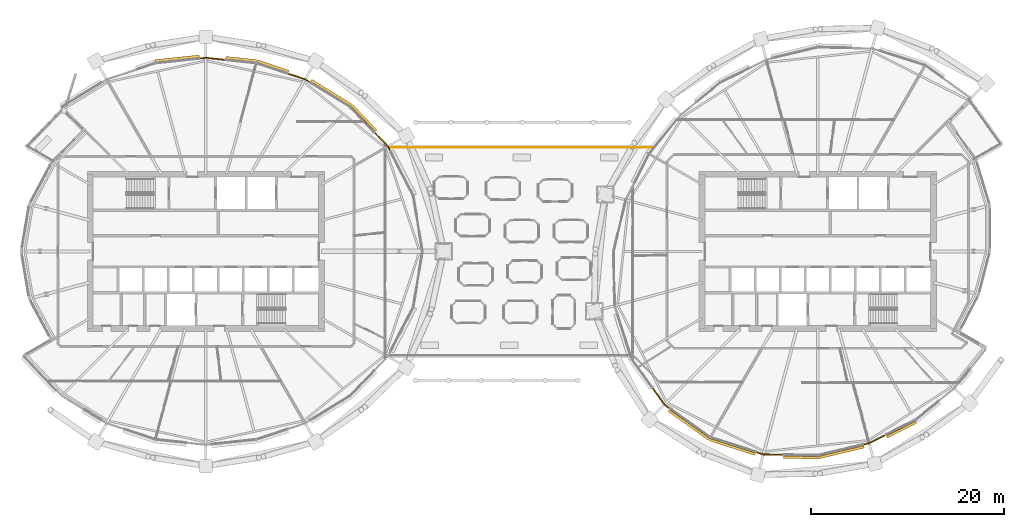
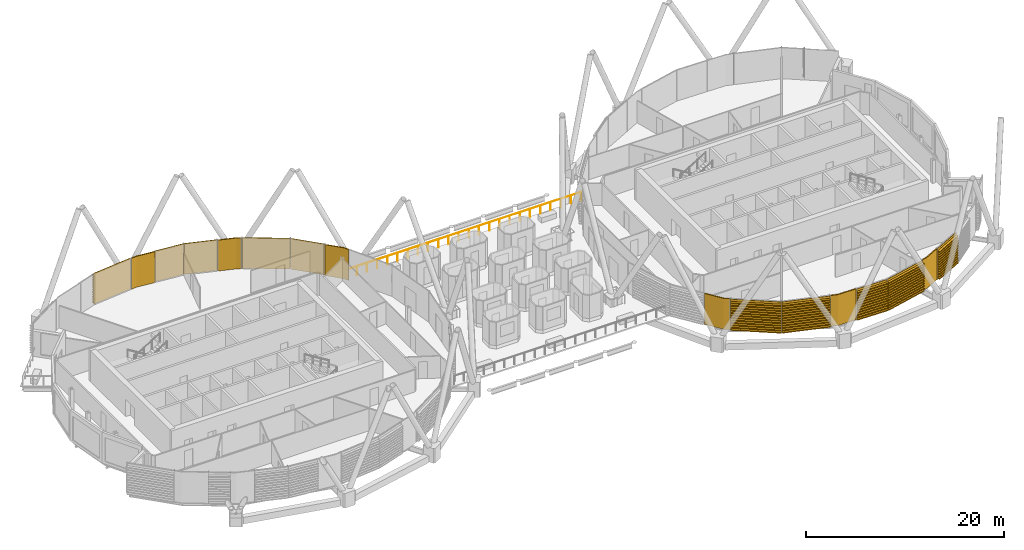
# One storey, part 35 of 38: 16 coverings, 1 railing.
"""IFC4 building model written with IfcOpenShell, lengths in metres."""

import ifcopenshell
import ifcopenshell.guid

model = None  # the IFC model being written
_history = None  # IfcOwnerHistory: only IFC2X3 demands one
_inside = {}  # id of a spatial element -> (the spatial element, [elements in it])
_under = {}  # id of a project, library or spatial element -> (it, [spatial elements below it])
_declared = {}  # id of a project -> (the project, [libraries it declares])
_typed = {}  # id of a type object -> (the type object, [elements of that type])
_made_of = {}  # id of a material, layer set ... -> (it, [elements and type objects made of it])


def new_model(schema):
    """Start an empty IFC model of exactly this schema.

    Asked for "IFC4X3", IfcOpenShell would pick the latest addendum, in which some entities
    have other attributes; the version numbers below select the first issue.
    IFC2X3 requires an IfcOwnerHistory on every rooted entity: one is made here for all.
    """
    global model, _history
    if schema == "IFC4X3":
        model = ifcopenshell.file(schema_version=(4, 3, 0, 0))
    else:
        model = ifcopenshell.file(schema=schema)
    _inside.clear()
    _under.clear()
    _declared.clear()
    _typed.clear()
    _made_of.clear()
    _history = None
    if model.schema == "IFC2X3":
        org = make("IfcOrganization", Name="unknown")
        user = make(
            "IfcPersonAndOrganization",
            ThePerson=make("IfcPerson", FamilyName="unknown"),
            TheOrganization=org,
        )
        app = make(
            "IfcApplication",
            ApplicationDeveloper=org,
            Version="unknown",
            ApplicationFullName="unknown",
            ApplicationIdentifier="unknown",
        )
        _history = make(
            "IfcOwnerHistory",
            OwningUser=user,
            OwningApplication=app,
            ChangeAction="ADDED",
            CreationDate=0,
        )
    return model


def make(cls, **values):
    """One entity of the class cls with the attributes given. An attribute that is None is left unset."""
    return model.create_entity(
        cls, **{name: value for name, value in values.items() if value is not None}
    )


def rooted(cls, **values):
    """An entity with a GlobalId (a new one), such as an element, a storey or a relation."""
    return make(cls, GlobalId=ifcopenshell.guid.new(), OwnerHistory=_history, **values)


def si_unit(unit_type, name, prefix=None):
    """IfcSIUnit, for example si_unit("LENGTHUNIT", "METRE", prefix="MILLI")."""
    return make("IfcSIUnit", UnitType=unit_type, Prefix=prefix, Name=name)


def assignment(units):
    """IfcUnitAssignment: the units of a project."""
    return None if units is None else make("IfcUnitAssignment", Units=units)


def point(xyz):
    """IfcCartesianPoint."""
    return None if xyz is None else make("IfcCartesianPoint", Coordinates=xyz)


def direction(xyz):
    """IfcDirection."""
    return None if xyz is None else make("IfcDirection", DirectionRatios=xyz)


def frame(location, z_axis=None, x_axis=None):
    """IfcAxis2Placement3D, a coordinate frame: its origin and axes. An axis left out is left unset."""
    return make(
        "IfcAxis2Placement3D",
        Location=point(location),
        Axis=direction(z_axis),
        RefDirection=direction(x_axis),
    )


def frame_2d(location, x_axis=None):
    """IfcAxis2Placement2D, a coordinate frame in the plane: its origin and x axis."""
    return make(
        "IfcAxis2Placement2D", Location=point(location), RefDirection=direction(x_axis)
    )


def origin():
    """The frame at (0, 0, 0) with its axes left unset."""
    return frame((0.0, 0.0, 0.0))


def origin_2d():
    """The frame at (0, 0) in the plane with its x axis left unset."""
    return frame_2d((0.0, 0.0))


def place(relative_to, where):
    """IfcLocalPlacement: puts the frame where relative to a parent placement (None: the world)."""
    return make(
        "IfcLocalPlacement", PlacementRelTo=relative_to, RelativePlacement=where
    )


def context(
    kind, dimensions, precision=None, world=None, true_north=None, identifier=None
):
    """IfcGeometricRepresentationContext, for example the 3D "Model" context."""
    return make(
        "IfcGeometricRepresentationContext",
        ContextIdentifier=identifier,
        ContextType=kind,
        CoordinateSpaceDimension=dimensions,
        Precision=precision,
        WorldCoordinateSystem=world,
        TrueNorth=true_north,
    )


def subcontext(parent, identifier, kind, view, scale=None):
    """IfcGeometricRepresentationSubContext, for example "Body" below "Model"."""
    return make(
        "IfcGeometricRepresentationSubContext",
        ContextIdentifier=identifier,
        ContextType=kind,
        ParentContext=parent,
        TargetScale=scale,
        TargetView=view,
    )


def project(units=None, contexts=None):
    """IfcProject with its units and contexts."""
    return rooted(
        "IfcProject",
        Name="project",
        RepresentationContexts=contexts,
        UnitsInContext=assignment(units),
    )


def spatial(cls, under=None, at=None, **own):
    """A site, building, storey or space (cls), placed at a placement, below another one or the project."""
    s = rooted(cls, ObjectPlacement=at, **own)
    if under is not None:
        _under.setdefault(under.id(), (under, []))[1].append(s)
    return s


def polyline(points):
    """IfcPolyline through the points."""
    return make("IfcPolyline", Points=[point(p) for p in points])


def profile(cls, at=None, kind="AREA", **sizes):
    """A parametric profile (cls). Its sizes go by their IFC names, for example OverallWidth=200.0."""
    return make(cls, ProfileType=kind, Position=at, **sizes)


def circle(**sizes):
    """IfcCircleProfileDef."""
    return profile("IfcCircleProfileDef", **sizes)


def outline(outer, holes=None, kind="AREA"):
    """IfcArbitraryClosedProfileDef: a profile drawn as a closed curve; with holes, ...WithVoids."""
    if holes is None:
        return make("IfcArbitraryClosedProfileDef", ProfileType=kind, OuterCurve=outer)
    return make(
        "IfcArbitraryProfileDefWithVoids",
        ProfileType=kind,
        OuterCurve=outer,
        InnerCurves=holes,
    )


def extrude(swept, where, along, depth):
    """IfcExtrudedAreaSolid: the profile swept, set in the frame where, extruded along a direction by depth."""
    return make(
        "IfcExtrudedAreaSolid",
        SweptArea=swept,
        Position=where,
        ExtrudedDirection=direction(along),
        Depth=depth,
    )


def shape(context_of_items, identifier, shape_type, items):
    """IfcShapeRepresentation: the items that make up one representation, for example the "Body"."""
    return make(
        "IfcShapeRepresentation",
        ContextOfItems=context_of_items,
        RepresentationIdentifier=identifier,
        RepresentationType=shape_type,
        Items=items,
    )


def material(Name=None, Category=None):
    """IfcMaterial."""
    return make("IfcMaterial", Name=Name, Category=Category)


def layer(
    of_material, thickness, ventilated=None, Name=None, Category=None, Priority=None
):
    """IfcMaterialLayer: one layer of a wall or slab, of a material (None: an air gap)."""
    return make(
        "IfcMaterialLayer",
        Material=of_material,
        LayerThickness=thickness,
        IsVentilated=ventilated,
        Name=Name,
        Category=Category,
        Priority=Priority,
    )


def layer_set(layers, Name=None):
    """IfcMaterialLayerSet."""
    return make("IfcMaterialLayerSet", MaterialLayers=layers, LayerSetName=Name)


def material_profile(
    of_material, cross_section, Name=None, Category=None, Priority=None
):
    """IfcMaterialProfile: a cross section and its material."""
    return make(
        "IfcMaterialProfile",
        Name=Name,
        Material=of_material,
        Profile=cross_section,
        Priority=Priority,
        Category=Category,
    )


def profile_set(profiles, Name=None, composite=None):
    """IfcMaterialProfileSet."""
    return make(
        "IfcMaterialProfileSet",
        Name=Name,
        MaterialProfiles=profiles,
        CompositeProfile=composite,
    )


def made_of(thing, what):
    """Note that an element or type object is made of a material, layer set ...; save() writes the relation."""
    if what is not None:
        _made_of.setdefault(what.id(), (what, []))[1].append(thing)
    return thing


def type_object(cls, material=None, **own):
    """A type object (cls), such as IfcWallType, which elements share."""
    return made_of(rooted(cls, **own), material)


def element(
    cls,
    number,
    at=None,
    inside=None,
    cuts=None,
    type_object=None,
    material=None,
    context=None,
    identifier="Body",
    shape_type=None,
    held_by="IfcProductDefinitionShape",
    body=None,
    shapes=None,
    **own,
):
    """One element of the class cls, such as IfcWall. Its Tag is "e" and its number.

    at: its placement. inside: the storey or other place that contains it. cuts: it is an
    opening in that element (IfcRelVoidsElement). A single representation is given by context,
    identifier, shape_type and body (its items); several are given by shapes. held_by: the class
    of the entity that holds the representations. save() writes the other relations.
    """
    e = rooted(cls, Tag="e%d" % number, ObjectPlacement=at, **own)
    if body is not None:
        shapes = [shape(context, identifier, shape_type, body)]
    if shapes is not None:
        e.Representation = make(held_by, Representations=shapes)
    if inside is not None:
        _inside.setdefault(inside.id(), (inside, []))[1].append(e)
    if cuts is not None:
        rooted(
            "IfcRelVoidsElement", RelatingBuildingElement=cuts, RelatedOpeningElement=e
        )
    if type_object is not None:
        _typed.setdefault(type_object.id(), (type_object, []))[1].append(e)
    return made_of(e, material)


def aggregate(whole, parts):
    """IfcRelAggregates: a whole, such as a stair, and the parts it consists of."""
    return rooted("IfcRelAggregates", RelatingObject=whole, RelatedObjects=parts)


def save(model, path):
    """Write the relations noted so far, then the file.

    IfcRelAggregates (storeys below a building ...), IfcRelContainedInSpatialStructure (elements
    in a storey), IfcRelDefinesByType, IfcRelAssociatesMaterial and IfcRelDeclares: one each for
    every whole, place, type object, material and project.
    """
    for whole, parts in _under.values():
        aggregate(whole, parts)
    for where, things in _inside.values():
        rooted(
            "IfcRelContainedInSpatialStructure",
            RelatedElements=things,
            RelatingStructure=where,
        )
    for kind, things in _typed.values():
        rooted("IfcRelDefinesByType", RelatedObjects=things, RelatingType=kind)
    for what, things in _made_of.values():
        rooted("IfcRelAssociatesMaterial", RelatedObjects=things, RelatingMaterial=what)
    for by, libraries in _declared.values():
        rooted("IfcRelDeclares", RelatingContext=by, RelatedDefinitions=libraries)
    model.write(path)


model = new_model("IFC4")

# Units and contexts
model_context = context("Model", 3, precision=1e-05, world=origin(), true_north=direction((0.0, 1.0)))
body_context = subcontext(model_context, "Body", "Model", "MODEL_VIEW")
ifc_project = project(units=[si_unit("LENGTHUNIT", "METRE"), si_unit("AREAUNIT", "SQUARE_METRE"), si_unit("VOLUMEUNIT", "CUBIC_METRE"), si_unit("PLANEANGLEUNIT", "RADIAN"), si_unit("MASSUNIT", "GRAM", prefix="KILO")], contexts=[model_context])

# Site, building, storey
site_placement = place(None, origin())
site = spatial("IfcSite", under=ifc_project, at=site_placement, CompositionType="ELEMENT")
building_placement = place(site_placement, origin())
building = spatial("IfcBuilding", under=site, at=building_placement, Name="Rimbun Link Towers", CompositionType="ELEMENT")
storey_placement = place(building_placement, frame((0.0, 0.0, 158.89990234375)))
storey = spatial("IfcBuildingStorey", under=building, at=storey_placement, Name="L38", CompositionType="ELEMENT", Elevation=158.89990234375)

# Railing
ifc_material_1 = material(Name="Stainless steel grade 316", Category="steel")
railing_type = type_object("IfcRailingType", Name="GUARD stainless rail and posts", PredefinedType="GUARDRAIL", material=ifc_material_1)
railing_placement = place(storey_placement, frame((14.66064453125, 10.800048828125, 0.0)))
element("IfcRailing", 1, at=railing_placement, inside=storey, type_object=railing_type, Name="GUARD", PredefinedType="GUARDRAIL", context=body_context, shape_type="SweptSolid", body=[
    extrude(circle(Radius=0.02392578125, at=origin_2d()), frame((0.0, 0.0, 1.076171875), z_axis=(-1.0, 0.0, 0.0), x_axis=(0.0, -1.0, 0.0)), (0.0, 0.0, 1.0), 27.28759765625),
    extrude(circle(Radius=0.02099609375, at=origin_2d()), origin(), (0.0, 0.0, 1.0), 1.052001953125),
    extrude(circle(Radius=0.02099609375, at=origin_2d()), frame((-1.1865234375, 0.0, 0.0)), (0.0, 0.0, 1.0), 1.052001953125),
    extrude(circle(Radius=0.02099609375, at=origin_2d()), frame((-2.372802734375, 0.0, 0.0)), (0.0, 0.0, 1.0), 1.052001953125),
    extrude(circle(Radius=0.02099609375, at=origin_2d()), frame((-3.559326171875, 0.0, 0.0)), (0.0, 0.0, 1.0), 1.052001953125),
    extrude(circle(Radius=0.02099609375, at=origin_2d()), frame((-4.74560546875, 0.0, 0.0)), (0.0, 0.0, 1.0), 1.052001953125),
    extrude(circle(Radius=0.02099609375, at=origin_2d()), frame((-5.93212890625, 0.0, 0.0)), (0.0, 0.0, 1.0), 1.052001953125),
    extrude(circle(Radius=0.02099609375, at=origin_2d()), frame((-7.118408203125, 0.0, 0.0)), (0.0, 0.0, 1.0), 1.052001953125),
    extrude(circle(Radius=0.02099609375, at=origin_2d()), frame((-8.304931640625, 0.0, 0.0)), (0.0, 0.0, 1.0), 1.052001953125),
    extrude(circle(Radius=0.02099609375, at=origin_2d()), frame((-9.491455078125, 0.0, 0.0)), (0.0, 0.0, 1.0), 1.052001953125),
    extrude(circle(Radius=0.02099609375, at=origin_2d()), frame((-10.677734375, 0.0, 0.0)), (0.0, 0.0, 1.0), 1.052001953125),
    extrude(circle(Radius=0.02099609375, at=origin_2d()), frame((-11.8642578125, 0.0, 0.0)), (0.0, 0.0, 1.0), 1.052001953125),
    extrude(circle(Radius=0.02099609375, at=origin_2d()), frame((-13.050537109375, 0.0, 0.0)), (0.0, 0.0, 1.0), 1.052001953125),
    extrude(circle(Radius=0.02099609375, at=origin_2d()), frame((-14.237060546875, 0.0, 0.0)), (0.0, 0.0, 1.0), 1.052001953125),
    extrude(circle(Radius=0.02099609375, at=origin_2d()), frame((-15.42333984375, 0.0, 0.0)), (0.0, 0.0, 1.0), 1.052001953125),
    extrude(circle(Radius=0.02099609375, at=origin_2d()), frame((-16.60986328125, 0.0, 0.0)), (0.0, 0.0, 1.0), 1.052001953125),
    extrude(circle(Radius=0.02099609375, at=origin_2d()), frame((-17.796142578125, 0.0, 0.0)), (0.0, 0.0, 1.0), 1.052001953125),
    extrude(circle(Radius=0.02099609375, at=origin_2d()), frame((-18.982666015625, 0.0, 0.0)), (0.0, 0.0, 1.0), 1.052001953125),
    extrude(circle(Radius=0.02099609375, at=origin_2d()), frame((-20.169189453125, 0.0, 0.0)), (0.0, 0.0, 1.0), 1.052001953125),
    extrude(circle(Radius=0.02099609375, at=origin_2d()), frame((-21.35546875, 0.0, 0.0)), (0.0, 0.0, 1.0), 1.052001953125),
    extrude(circle(Radius=0.02099609375, at=origin_2d()), frame((-22.5419921875, 0.0, 0.0)), (0.0, 0.0, 1.0), 1.052001953125),
    extrude(circle(Radius=0.02099609375, at=origin_2d()), frame((-23.728271484375, 0.0, 0.0)), (0.0, 0.0, 1.0), 1.052001953125),
    extrude(circle(Radius=0.02099609375, at=origin_2d()), frame((-24.914794921875, 0.0, 0.0)), (0.0, 0.0, 1.0), 1.052001953125),
    extrude(circle(Radius=0.02099609375, at=origin_2d()), frame((-26.10107421875, 0.0, 0.0)), (0.0, 0.0, 1.0), 1.052001953125),
    extrude(circle(Radius=0.02099609375, at=origin_2d()), frame((-27.28759765625, 0.0, 0.0)), (0.0, 0.0, 1.0), 1.052001953125),
])

# Coverings
ifc_material_2 = material(Name="Terracotta", Category="masonry")
ifc_layer = layer(ifc_material_2, 0.1201171875)
ifc_layer_set = layer_set([ifc_layer], Name="LINK PIER terracotta cladding 120")
covering_type_1 = type_object("IfcCoveringType", Name="LINK PIER terracotta cladding 120", PredefinedType="CLADDING", material=ifc_layer_set)
covering_1_placement = place(storey_placement, origin())
element("IfcCovering", 2, at=covering_1_placement, inside=storey, type_object=covering_type_1, Name="LINK PIER cladding", PredefinedType="CLADDING", context=body_context, shape_type="SweptSolid", body=[
    extrude(outline(polyline([(-14.273193359375, 12.299560546875), (-12.909912109375, 10.87744140625), (-12.64794921875, 10.37109375), (-12.541259765625, 10.42626953125), (-12.811279296875, 10.947998046875), (-14.1865234375, 12.382568359375), (-14.273193359375, 12.299560546875)])), origin(), (0.0, 0.0, 1.0), 3.800048828125),
])
covering_2_placement = place(storey_placement, origin())
element("IfcCovering", 3, at=covering_2_placement, inside=storey, type_object=covering_type_1, Name="LINK PIER cladding", PredefinedType="CLADDING", context=body_context, shape_type="SweptSolid", body=[
    extrude(outline(polyline([(-23.244873046875, 18.393798828125), (-21.469970703125, 17.8056640625), (-20.984130859375, 17.50732421875), (-20.92138671875, 17.609619140625), (-21.4189453125, 17.9150390625), (-23.207275390625, 18.5078125), (-23.244873046875, 18.393798828125)])), origin(), (0.0, 0.0, 1.0), 3.800048828125),
])
covering_3_placement = place(storey_placement, origin())
element("IfcCovering", 4, at=covering_3_placement, inside=storey, type_object=covering_type_1, Name="LINK PIER cladding", PredefinedType="CLADDING", context=body_context, shape_type="SweptSolid", body=[
    extrude(outline(polyline([(-32.36669921875, 19.967041015625), (-31.75, 20.031982421875), (-29.7412109375, 19.820556640625), (-29.728515625, 19.93994140625), (-31.75, 20.15283203125), (-32.379150390625, 20.08642578125), (-32.36669921875, 19.967041015625)])), origin(), (0.0, 0.0, 1.0), 3.800048828125),
])
covering_4_placement = place(storey_placement, origin())
element("IfcCovering", 5, at=covering_4_placement, inside=storey, type_object=covering_type_1, Name="LINK PIER cladding", PredefinedType="CLADDING", context=body_context, shape_type="SweptSolid", body=[
    extrude(outline(polyline([(16.4296875, -16.255126953125), (15.885498046875, -15.864501953125), (14.6494140625, -14.14208984375), (14.552001953125, -14.212158203125), (15.79931640625, -15.95068359375), (16.35986328125, -16.352783203125), (16.4296875, -16.255126953125)])), origin(), (0.0, 0.0, 1.0), 3.800048828125),
])
covering_5_placement = place(storey_placement, origin())
element("IfcCovering", 6, at=covering_5_placement, inside=storey, type_object=covering_type_1, Name="LINK PIER cladding", PredefinedType="CLADDING", context=body_context, shape_type="SweptSolid", body=[
    extrude(outline(polyline([(28.18896484375, -21.05712890625), (26.119384765625, -21.013671875), (25.385498046875, -20.7802734375), (25.349365234375, -20.89453125), (26.099609375, -21.13330078125), (28.1865234375, -21.17724609375), (28.18896484375, -21.05712890625)])), origin(), (0.0, 0.0, 1.0), 3.800048828125),
])
covering_6_placement = place(storey_placement, origin())
element("IfcCovering", 7, at=covering_6_placement, inside=storey, type_object=covering_type_1, Name="LINK PIER cladding", PredefinedType="CLADDING", context=body_context, shape_type="SweptSolid", body=[
    extrude(outline(polyline([(38.742431640625, -19.020263671875), (37.0712890625, -19.859619140625), (36.516845703125, -19.9921875), (36.544921875, -20.10888671875), (37.11279296875, -19.972900390625), (38.79638671875, -19.12744140625), (38.742431640625, -19.020263671875)])), origin(), (0.0, 0.0, 1.0), 3.800048828125),
])
ifc_material_3 = material(Name="Terracotta", Category="masonry")
ifc_material_profile = material_profile(ifc_material_3, outline(polyline([(0.123046875, 0.0), (0.1630859375, 0.0), (0.1630859375, 0.10009765625), (0.423095703125, 0.10009765625), (0.423095703125, 0.219970703125), (0.1630859375, 0.219970703125), (0.1630859375, 0.39990234375), (0.423095703125, 0.39990234375), (0.423095703125, 0.52001953125), (0.1630859375, 0.52001953125), (0.1630859375, 0.699951171875), (0.423095703125, 0.699951171875), (0.423095703125, 0.820068359375), (0.1630859375, 0.820068359375), (0.1630859375, 1.0), (0.423095703125, 1.0), (0.423095703125, 1.1201171875), (0.1630859375, 1.1201171875), (0.1630859375, 1.300048828125), (0.423095703125, 1.300048828125), (0.423095703125, 1.419921875), (0.1630859375, 1.419921875), (0.1630859375, 1.60009765625), (0.423095703125, 1.60009765625), (0.423095703125, 1.719970703125), (0.1630859375, 1.719970703125), (0.1630859375, 1.89990234375), (0.423095703125, 1.89990234375), (0.423095703125, 2.02001953125), (0.1630859375, 2.02001953125), (0.1630859375, 2.199951171875), (0.423095703125, 2.199951171875), (0.423095703125, 2.320068359375), (0.1630859375, 2.320068359375), (0.1630859375, 2.5), (0.423095703125, 2.5), (0.423095703125, 2.6201171875), (0.1630859375, 2.6201171875), (0.1630859375, 2.800048828125), (0.423095703125, 2.800048828125), (0.423095703125, 2.919921875), (0.1630859375, 2.919921875), (0.1630859375, 3.10009765625), (0.423095703125, 3.10009765625), (0.423095703125, 3.219970703125), (0.1630859375, 3.219970703125), (0.1630859375, 3.39990234375), (0.423095703125, 3.39990234375), (0.423095703125, 3.52001953125), (0.1630859375, 3.52001953125), (0.1630859375, 3.800048828125), (0.123046875, 3.800048828125), (0.123046875, 0.0)])), Name="BAGUETTE 120X300")
ifc_profile_set = profile_set([ifc_material_profile], Name="Terracotta")
covering_type_2 = type_object("IfcCoveringType", Name="TERRACOTTA BAGUETTE 120X300 H3800", PredefinedType="CLADDING", material=ifc_profile_set)
covering_7_placement = place(storey_placement, frame((-16.807373046875, 14.942626953125, 0.0), z_axis=(0.692060112177, -0.721839872225, 0.0), x_axis=(0.721839872225, 0.692060112177, 0.0)))
element("IfcCovering", 8, at=covering_7_placement, inside=storey, type_object=covering_type_2, Name="TERRACOTTA BAGUETTE", PredefinedType="CLADDING", context=body_context, shape_type="SweptSolid", body=[
    extrude(outline(polyline([(0.123046875, 0.0), (0.1630859375, 0.0), (0.1630859375, 0.10009765625), (0.423095703125, 0.10009765625), (0.423095703125, 0.219970703125), (0.1630859375, 0.219970703125), (0.1630859375, 0.39990234375), (0.423095703125, 0.39990234375), (0.423095703125, 0.52001953125), (0.1630859375, 0.52001953125), (0.1630859375, 0.699951171875), (0.423095703125, 0.699951171875), (0.423095703125, 0.820068359375), (0.1630859375, 0.820068359375), (0.1630859375, 1.0), (0.423095703125, 1.0), (0.423095703125, 1.1201171875), (0.1630859375, 1.1201171875), (0.1630859375, 1.300048828125), (0.423095703125, 1.300048828125), (0.423095703125, 1.419921875), (0.1630859375, 1.419921875), (0.1630859375, 1.60009765625), (0.423095703125, 1.60009765625), (0.423095703125, 1.719970703125), (0.1630859375, 1.719970703125), (0.1630859375, 1.89990234375), (0.423095703125, 1.89990234375), (0.423095703125, 2.02001953125), (0.1630859375, 2.02001953125), (0.1630859375, 2.199951171875), (0.423095703125, 2.199951171875), (0.423095703125, 2.320068359375), (0.1630859375, 2.320068359375), (0.1630859375, 2.5), (0.423095703125, 2.5), (0.423095703125, 2.6201171875), (0.1630859375, 2.6201171875), (0.1630859375, 2.800048828125), (0.423095703125, 2.800048828125), (0.423095703125, 2.919921875), (0.1630859375, 2.919921875), (0.1630859375, 3.10009765625), (0.423095703125, 3.10009765625), (0.423095703125, 3.219970703125), (0.1630859375, 3.219970703125), (0.1630859375, 3.39990234375), (0.423095703125, 3.39990234375), (0.423095703125, 3.52001953125), (0.1630859375, 3.52001953125), (0.1630859375, 3.800048828125), (0.123046875, 3.800048828125), (0.123046875, 0.0)])), origin(), (0.0, 0.0, 1.0), 3.6318359375),
])
covering_8_placement = place(storey_placement, frame((-20.95849609375, 17.49169921875, 0.0), z_axis=(0.852158679137, -0.523283465792, 0.0), x_axis=(0.523283465792, 0.852158679137, 0.0)))
element("IfcCovering", 9, at=covering_8_placement, inside=storey, type_object=covering_type_2, Name="TERRACOTTA BAGUETTE", PredefinedType="CLADDING", context=body_context, shape_type="SweptSolid", body=[
    extrude(outline(polyline([(0.123046875, 0.0), (0.1630859375, 0.0), (0.1630859375, 0.10009765625), (0.423095703125, 0.10009765625), (0.423095703125, 0.219970703125), (0.1630859375, 0.219970703125), (0.1630859375, 0.39990234375), (0.423095703125, 0.39990234375), (0.423095703125, 0.52001953125), (0.1630859375, 0.52001953125), (0.1630859375, 0.699951171875), (0.423095703125, 0.699951171875), (0.423095703125, 0.820068359375), (0.1630859375, 0.820068359375), (0.1630859375, 1.0), (0.423095703125, 1.0), (0.423095703125, 1.1201171875), (0.1630859375, 1.1201171875), (0.1630859375, 1.300048828125), (0.423095703125, 1.300048828125), (0.423095703125, 1.419921875), (0.1630859375, 1.419921875), (0.1630859375, 1.60009765625), (0.423095703125, 1.60009765625), (0.423095703125, 1.719970703125), (0.1630859375, 1.719970703125), (0.1630859375, 1.89990234375), (0.423095703125, 1.89990234375), (0.423095703125, 2.02001953125), (0.1630859375, 2.02001953125), (0.1630859375, 2.199951171875), (0.423095703125, 2.199951171875), (0.423095703125, 2.320068359375), (0.1630859375, 2.320068359375), (0.1630859375, 2.5), (0.423095703125, 2.5), (0.423095703125, 2.6201171875), (0.1630859375, 2.6201171875), (0.1630859375, 2.800048828125), (0.423095703125, 2.800048828125), (0.423095703125, 2.919921875), (0.1630859375, 2.919921875), (0.1630859375, 3.10009765625), (0.423095703125, 3.10009765625), (0.423095703125, 3.219970703125), (0.1630859375, 3.219970703125), (0.1630859375, 3.39990234375), (0.423095703125, 3.39990234375), (0.423095703125, 3.52001953125), (0.1630859375, 3.52001953125), (0.1630859375, 3.800048828125), (0.123046875, 3.800048828125), (0.123046875, 0.0)])), origin(), (0.0, 0.0, 1.0), 4.871337890625),
])
covering_9_placement = place(storey_placement, frame((-26.52978515625, 19.482421875, 0.0), z_axis=(0.949236945708, -0.314561950819, 0.0), x_axis=(0.314561950819, 0.949236945708, 0.0)))
element("IfcCovering", 10, at=covering_9_placement, inside=storey, type_object=covering_type_2, Name="TERRACOTTA BAGUETTE", PredefinedType="CLADDING", context=body_context, shape_type="SweptSolid", body=[
    extrude(outline(polyline([(0.123046875, 0.0), (0.1630859375, 0.0), (0.1630859375, 0.10009765625), (0.423095703125, 0.10009765625), (0.423095703125, 0.219970703125), (0.1630859375, 0.219970703125), (0.1630859375, 0.39990234375), (0.423095703125, 0.39990234375), (0.423095703125, 0.52001953125), (0.1630859375, 0.52001953125), (0.1630859375, 0.699951171875), (0.423095703125, 0.699951171875), (0.423095703125, 0.820068359375), (0.1630859375, 0.820068359375), (0.1630859375, 1.0), (0.423095703125, 1.0), (0.423095703125, 1.1201171875), (0.1630859375, 1.1201171875), (0.1630859375, 1.300048828125), (0.423095703125, 1.300048828125), (0.423095703125, 1.419921875), (0.1630859375, 1.419921875), (0.1630859375, 1.60009765625), (0.423095703125, 1.60009765625), (0.423095703125, 1.719970703125), (0.1630859375, 1.719970703125), (0.1630859375, 1.89990234375), (0.423095703125, 1.89990234375), (0.423095703125, 2.02001953125), (0.1630859375, 2.02001953125), (0.1630859375, 2.199951171875), (0.423095703125, 2.199951171875), (0.423095703125, 2.320068359375), (0.1630859375, 2.320068359375), (0.1630859375, 2.5), (0.423095703125, 2.5), (0.423095703125, 2.6201171875), (0.1630859375, 2.6201171875), (0.1630859375, 2.800048828125), (0.423095703125, 2.800048828125), (0.423095703125, 2.919921875), (0.1630859375, 2.919921875), (0.1630859375, 3.10009765625), (0.423095703125, 3.10009765625), (0.423095703125, 3.219970703125), (0.1630859375, 3.219970703125), (0.1630859375, 3.39990234375), (0.423095703125, 3.39990234375), (0.423095703125, 3.52001953125), (0.1630859375, 3.52001953125), (0.1630859375, 3.800048828125), (0.123046875, 3.800048828125), (0.123046875, 0.0)])), origin(), (0.0, 0.0, 1.0), 3.430419921875),
])
covering_10_placement = place(storey_placement, frame((-29.711181640625, 19.8173828125, 0.0), z_axis=(0.994502943543, -0.104708620869, 0.0), x_axis=(0.104708620869, 0.994502943543, 0.0)))
element("IfcCovering", 11, at=covering_10_placement, inside=storey, type_object=covering_type_2, Name="TERRACOTTA BAGUETTE", PredefinedType="CLADDING", context=body_context, shape_type="SweptSolid", body=[
    extrude(outline(polyline([(0.123046875, 0.0), (0.1630859375, 0.0), (0.1630859375, 0.10009765625), (0.423095703125, 0.10009765625), (0.423095703125, 0.219970703125), (0.1630859375, 0.219970703125), (0.1630859375, 0.39990234375), (0.423095703125, 0.39990234375), (0.423095703125, 0.52001953125), (0.1630859375, 0.52001953125), (0.1630859375, 0.699951171875), (0.423095703125, 0.699951171875), (0.423095703125, 0.820068359375), (0.1630859375, 0.820068359375), (0.1630859375, 1.0), (0.423095703125, 1.0), (0.423095703125, 1.1201171875), (0.1630859375, 1.1201171875), (0.1630859375, 1.300048828125), (0.423095703125, 1.300048828125), (0.423095703125, 1.419921875), (0.1630859375, 1.419921875), (0.1630859375, 1.60009765625), (0.423095703125, 1.60009765625), (0.423095703125, 1.719970703125), (0.1630859375, 1.719970703125), (0.1630859375, 1.89990234375), (0.423095703125, 1.89990234375), (0.423095703125, 2.02001953125), (0.1630859375, 2.02001953125), (0.1630859375, 2.199951171875), (0.423095703125, 2.199951171875), (0.423095703125, 2.320068359375), (0.1630859375, 2.320068359375), (0.1630859375, 2.5), (0.423095703125, 2.5), (0.423095703125, 2.6201171875), (0.1630859375, 2.6201171875), (0.1630859375, 2.800048828125), (0.423095703125, 2.800048828125), (0.423095703125, 2.919921875), (0.1630859375, 2.919921875), (0.1630859375, 3.10009765625), (0.423095703125, 3.10009765625), (0.423095703125, 3.219970703125), (0.1630859375, 3.219970703125), (0.1630859375, 3.39990234375), (0.423095703125, 3.39990234375), (0.423095703125, 3.52001953125), (0.1630859375, 3.52001953125), (0.1630859375, 3.800048828125), (0.123046875, 3.800048828125), (0.123046875, 0.0)])), origin(), (0.0, 0.0, 1.0), 3.198974609375),
])
covering_11_placement = place(storey_placement, frame((-36.97021484375, 19.482421875, 0.0), z_axis=(0.994499924847, 0.104737287911, 0.0), x_axis=(-0.104737287911, 0.994499924847, 0.0)))
element("IfcCovering", 12, at=covering_11_placement, inside=storey, type_object=covering_type_2, Name="TERRACOTTA BAGUETTE", PredefinedType="CLADDING", context=body_context, shape_type="SweptSolid", body=[
    extrude(outline(polyline([(0.123046875, 0.0), (0.1630859375, 0.0), (0.1630859375, 0.10009765625), (0.423095703125, 0.10009765625), (0.423095703125, 0.219970703125), (0.1630859375, 0.219970703125), (0.1630859375, 0.39990234375), (0.423095703125, 0.39990234375), (0.423095703125, 0.52001953125), (0.1630859375, 0.52001953125), (0.1630859375, 0.699951171875), (0.423095703125, 0.699951171875), (0.423095703125, 0.820068359375), (0.1630859375, 0.820068359375), (0.1630859375, 1.0), (0.423095703125, 1.0), (0.423095703125, 1.1201171875), (0.1630859375, 1.1201171875), (0.1630859375, 1.300048828125), (0.423095703125, 1.300048828125), (0.423095703125, 1.419921875), (0.1630859375, 1.419921875), (0.1630859375, 1.60009765625), (0.423095703125, 1.60009765625), (0.423095703125, 1.719970703125), (0.1630859375, 1.719970703125), (0.1630859375, 1.89990234375), (0.423095703125, 1.89990234375), (0.423095703125, 2.02001953125), (0.1630859375, 2.02001953125), (0.1630859375, 2.199951171875), (0.423095703125, 2.199951171875), (0.423095703125, 2.320068359375), (0.1630859375, 2.320068359375), (0.1630859375, 2.5), (0.423095703125, 2.5), (0.423095703125, 2.6201171875), (0.1630859375, 2.6201171875), (0.1630859375, 2.800048828125), (0.423095703125, 2.800048828125), (0.423095703125, 2.919921875), (0.1630859375, 2.919921875), (0.1630859375, 3.10009765625), (0.423095703125, 3.10009765625), (0.423095703125, 3.219970703125), (0.1630859375, 3.219970703125), (0.1630859375, 3.39990234375), (0.423095703125, 3.39990234375), (0.423095703125, 3.52001953125), (0.1630859375, 3.52001953125), (0.1630859375, 3.800048828125), (0.123046875, 3.800048828125), (0.123046875, 0.0)])), origin(), (0.0, 0.0, 1.0), 4.59912109375),
])
covering_12_placement = place(storey_placement, frame((20.62646484375, -19.2666015625, 0.0), z_axis=(-0.812475589724, 0.582995211046, 0.0), x_axis=(-0.582995211046, -0.812475589724, 0.0)))
element("IfcCovering", 13, at=covering_12_placement, inside=storey, type_object=covering_type_2, Name="TERRACOTTA BAGUETTE", PredefinedType="CLADDING", context=body_context, shape_type="SweptSolid", body=[
    extrude(outline(polyline([(0.123046875, 0.0), (0.1630859375, 0.0), (0.1630859375, 0.10009765625), (0.423095703125, 0.10009765625), (0.423095703125, 0.219970703125), (0.1630859375, 0.219970703125), (0.1630859375, 0.39990234375), (0.423095703125, 0.39990234375), (0.423095703125, 0.52001953125), (0.1630859375, 0.52001953125), (0.1630859375, 0.699951171875), (0.423095703125, 0.699951171875), (0.423095703125, 0.820068359375), (0.1630859375, 0.820068359375), (0.1630859375, 1.0), (0.423095703125, 1.0), (0.423095703125, 1.1201171875), (0.1630859375, 1.1201171875), (0.1630859375, 1.300048828125), (0.423095703125, 1.300048828125), (0.423095703125, 1.419921875), (0.1630859375, 1.419921875), (0.1630859375, 1.60009765625), (0.423095703125, 1.60009765625), (0.423095703125, 1.719970703125), (0.1630859375, 1.719970703125), (0.1630859375, 1.89990234375), (0.423095703125, 1.89990234375), (0.423095703125, 2.02001953125), (0.1630859375, 2.02001953125), (0.1630859375, 2.199951171875), (0.423095703125, 2.199951171875), (0.423095703125, 2.320068359375), (0.1630859375, 2.320068359375), (0.1630859375, 2.5), (0.423095703125, 2.5), (0.423095703125, 2.6201171875), (0.1630859375, 2.6201171875), (0.1630859375, 2.800048828125), (0.423095703125, 2.800048828125), (0.423095703125, 2.919921875), (0.1630859375, 2.919921875), (0.1630859375, 3.10009765625), (0.423095703125, 3.10009765625), (0.423095703125, 3.219970703125), (0.1630859375, 3.219970703125), (0.1630859375, 3.39990234375), (0.423095703125, 3.39990234375), (0.423095703125, 3.52001953125), (0.1630859375, 3.52001953125), (0.1630859375, 3.800048828125), (0.123046875, 3.800048828125), (0.123046875, 0.0)])), origin(), (0.0, 0.0, 1.0), 5.13525390625),
])
covering_13_placement = place(storey_placement, frame((25.35693359375, -20.771240234375, 0.0), z_axis=(-0.952955487798, 0.303110274117, 0.0), x_axis=(-0.303110274117, -0.952955487798, 0.0)))
element("IfcCovering", 14, at=covering_13_placement, inside=storey, type_object=covering_type_2, Name="TERRACOTTA BAGUETTE", PredefinedType="CLADDING", context=body_context, shape_type="SweptSolid", body=[
    extrude(outline(polyline([(0.123046875, 0.0), (0.1630859375, 0.0), (0.1630859375, 0.10009765625), (0.423095703125, 0.10009765625), (0.423095703125, 0.219970703125), (0.1630859375, 0.219970703125), (0.1630859375, 0.39990234375), (0.423095703125, 0.39990234375), (0.423095703125, 0.52001953125), (0.1630859375, 0.52001953125), (0.1630859375, 0.699951171875), (0.423095703125, 0.699951171875), (0.423095703125, 0.820068359375), (0.1630859375, 0.820068359375), (0.1630859375, 1.0), (0.423095703125, 1.0), (0.423095703125, 1.1201171875), (0.1630859375, 1.1201171875), (0.1630859375, 1.300048828125), (0.423095703125, 1.300048828125), (0.423095703125, 1.419921875), (0.1630859375, 1.419921875), (0.1630859375, 1.60009765625), (0.423095703125, 1.60009765625), (0.423095703125, 1.719970703125), (0.1630859375, 1.719970703125), (0.1630859375, 1.89990234375), (0.423095703125, 1.89990234375), (0.423095703125, 2.02001953125), (0.1630859375, 2.02001953125), (0.1630859375, 2.199951171875), (0.423095703125, 2.199951171875), (0.423095703125, 2.320068359375), (0.1630859375, 2.320068359375), (0.1630859375, 2.5), (0.423095703125, 2.5), (0.423095703125, 2.6201171875), (0.1630859375, 2.6201171875), (0.1630859375, 2.800048828125), (0.423095703125, 2.800048828125), (0.423095703125, 2.919921875), (0.1630859375, 2.919921875), (0.1630859375, 3.10009765625), (0.423095703125, 3.10009765625), (0.423095703125, 3.219970703125), (0.1630859375, 3.219970703125), (0.1630859375, 3.39990234375), (0.423095703125, 3.39990234375), (0.423095703125, 3.52001953125), (0.1630859375, 3.52001953125), (0.1630859375, 3.800048828125), (0.123046875, 3.800048828125), (0.123046875, 0.0)])), origin(), (0.0, 0.0, 1.0), 4.964111328125),
])
covering_14_placement = place(storey_placement, frame((31.75, -21.132080078125, 0.0), z_axis=(-0.999779170788, 0.021014510677, 0.0), x_axis=(-0.021014510677, -0.999779170788, 0.0)))
element("IfcCovering", 15, at=covering_14_placement, inside=storey, type_object=covering_type_2, Name="TERRACOTTA BAGUETTE", PredefinedType="CLADDING", context=body_context, shape_type="SweptSolid", body=[
    extrude(outline(polyline([(0.123046875, 0.0), (0.1630859375, 0.0), (0.1630859375, 0.10009765625), (0.423095703125, 0.10009765625), (0.423095703125, 0.219970703125), (0.1630859375, 0.219970703125), (0.1630859375, 0.39990234375), (0.423095703125, 0.39990234375), (0.423095703125, 0.52001953125), (0.1630859375, 0.52001953125), (0.1630859375, 0.699951171875), (0.423095703125, 0.699951171875), (0.423095703125, 0.820068359375), (0.1630859375, 0.820068359375), (0.1630859375, 1.0), (0.423095703125, 1.0), (0.423095703125, 1.1201171875), (0.1630859375, 1.1201171875), (0.1630859375, 1.300048828125), (0.423095703125, 1.300048828125), (0.423095703125, 1.419921875), (0.1630859375, 1.419921875), (0.1630859375, 1.60009765625), (0.423095703125, 1.60009765625), (0.423095703125, 1.719970703125), (0.1630859375, 1.719970703125), (0.1630859375, 1.89990234375), (0.423095703125, 1.89990234375), (0.423095703125, 2.02001953125), (0.1630859375, 2.02001953125), (0.1630859375, 2.199951171875), (0.423095703125, 2.199951171875), (0.423095703125, 2.320068359375), (0.1630859375, 2.320068359375), (0.1630859375, 2.5), (0.423095703125, 2.5), (0.423095703125, 2.6201171875), (0.1630859375, 2.6201171875), (0.1630859375, 2.800048828125), (0.423095703125, 2.800048828125), (0.423095703125, 2.919921875), (0.1630859375, 2.919921875), (0.1630859375, 3.10009765625), (0.423095703125, 3.10009765625), (0.423095703125, 3.219970703125), (0.1630859375, 3.219970703125), (0.1630859375, 3.39990234375), (0.423095703125, 3.39990234375), (0.423095703125, 3.52001953125), (0.1630859375, 3.52001953125), (0.1630859375, 3.800048828125), (0.123046875, 3.800048828125), (0.123046875, 0.0)])), origin(), (0.0, 0.0, 1.0), 3.53173828125),
])
covering_15_placement = place(storey_placement, frame((36.48779296875, -19.9990234375, 0.0), z_axis=(-0.972573962612, -0.232593824615, 0.0), x_axis=(0.232593824615, -0.972573962612, 0.0)))
element("IfcCovering", 16, at=covering_15_placement, inside=storey, type_object=covering_type_2, Name="TERRACOTTA BAGUETTE", PredefinedType="CLADDING", context=body_context, shape_type="SweptSolid", body=[
    extrude(outline(polyline([(0.123046875, 0.0), (0.1630859375, 0.0), (0.1630859375, 0.10009765625), (0.423095703125, 0.10009765625), (0.423095703125, 0.219970703125), (0.1630859375, 0.219970703125), (0.1630859375, 0.39990234375), (0.423095703125, 0.39990234375), (0.423095703125, 0.52001953125), (0.1630859375, 0.52001953125), (0.1630859375, 0.699951171875), (0.423095703125, 0.699951171875), (0.423095703125, 0.820068359375), (0.1630859375, 0.820068359375), (0.1630859375, 1.0), (0.423095703125, 1.0), (0.423095703125, 1.1201171875), (0.1630859375, 1.1201171875), (0.1630859375, 1.300048828125), (0.423095703125, 1.300048828125), (0.423095703125, 1.419921875), (0.1630859375, 1.419921875), (0.1630859375, 1.60009765625), (0.423095703125, 1.60009765625), (0.423095703125, 1.719970703125), (0.1630859375, 1.719970703125), (0.1630859375, 1.89990234375), (0.423095703125, 1.89990234375), (0.423095703125, 2.02001953125), (0.1630859375, 2.02001953125), (0.1630859375, 2.199951171875), (0.423095703125, 2.199951171875), (0.423095703125, 2.320068359375), (0.1630859375, 2.320068359375), (0.1630859375, 2.5), (0.423095703125, 2.5), (0.423095703125, 2.6201171875), (0.1630859375, 2.6201171875), (0.1630859375, 2.800048828125), (0.423095703125, 2.800048828125), (0.423095703125, 2.919921875), (0.1630859375, 2.919921875), (0.1630859375, 3.10009765625), (0.423095703125, 3.10009765625), (0.423095703125, 3.219970703125), (0.1630859375, 3.219970703125), (0.1630859375, 3.39990234375), (0.423095703125, 3.39990234375), (0.423095703125, 3.52001953125), (0.1630859375, 3.52001953125), (0.1630859375, 3.800048828125), (0.123046875, 3.800048828125), (0.123046875, 0.0)])), origin(), (0.0, 0.0, 1.0), 4.871337890625),
])
covering_16_placement = place(storey_placement, frame((41.834716796875, -17.46728515625, 0.0), z_axis=(-0.893628650028, -0.448807125444, 0.0), x_axis=(0.448807125444, -0.893628650028, 0.0)))
element("IfcCovering", 17, at=covering_16_placement, inside=storey, type_object=covering_type_2, Name="TERRACOTTA BAGUETTE", PredefinedType="CLADDING", context=body_context, shape_type="SweptSolid", body=[
    extrude(outline(polyline([(0.123046875, 0.0), (0.1630859375, 0.0), (0.1630859375, 0.10009765625), (0.423095703125, 0.10009765625), (0.423095703125, 0.219970703125), (0.1630859375, 0.219970703125), (0.1630859375, 0.39990234375), (0.423095703125, 0.39990234375), (0.423095703125, 0.52001953125), (0.1630859375, 0.52001953125), (0.1630859375, 0.699951171875), (0.423095703125, 0.699951171875), (0.423095703125, 0.820068359375), (0.1630859375, 0.820068359375), (0.1630859375, 1.0), (0.423095703125, 1.0), (0.423095703125, 1.1201171875), (0.1630859375, 1.1201171875), (0.1630859375, 1.300048828125), (0.423095703125, 1.300048828125), (0.423095703125, 1.419921875), (0.1630859375, 1.419921875), (0.1630859375, 1.60009765625), (0.423095703125, 1.60009765625), (0.423095703125, 1.719970703125), (0.1630859375, 1.719970703125), (0.1630859375, 1.89990234375), (0.423095703125, 1.89990234375), (0.423095703125, 2.02001953125), (0.1630859375, 2.02001953125), (0.1630859375, 2.199951171875), (0.423095703125, 2.199951171875), (0.423095703125, 2.320068359375), (0.1630859375, 2.320068359375), (0.1630859375, 2.5), (0.423095703125, 2.5), (0.423095703125, 2.6201171875), (0.1630859375, 2.6201171875), (0.1630859375, 2.800048828125), (0.423095703125, 2.800048828125), (0.423095703125, 2.919921875), (0.1630859375, 2.919921875), (0.1630859375, 3.10009765625), (0.423095703125, 3.10009765625), (0.423095703125, 3.219970703125), (0.1630859375, 3.219970703125), (0.1630859375, 3.39990234375), (0.423095703125, 3.39990234375), (0.423095703125, 3.52001953125), (0.1630859375, 3.52001953125), (0.1630859375, 3.800048828125), (0.123046875, 3.800048828125), (0.123046875, 0.0)])), origin(), (0.0, 0.0, 1.0), 3.430419921875),
])

save(model, "model.ifc")
